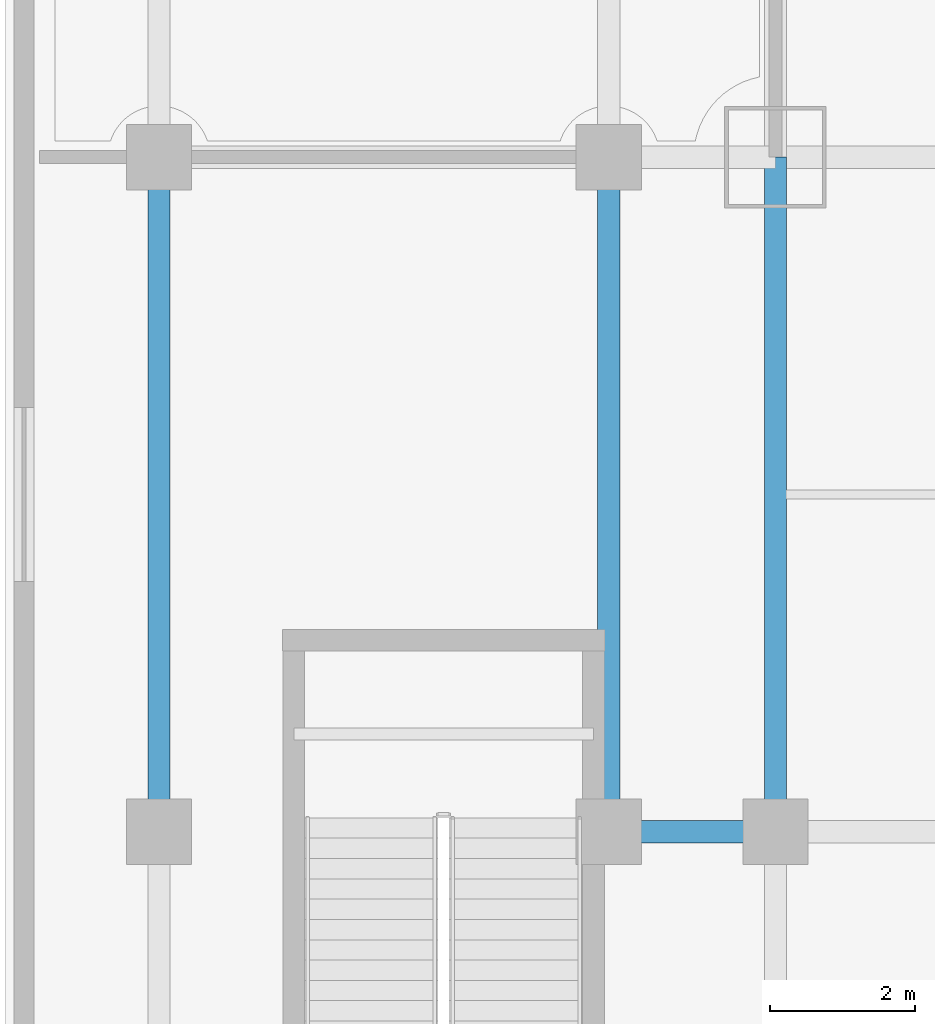
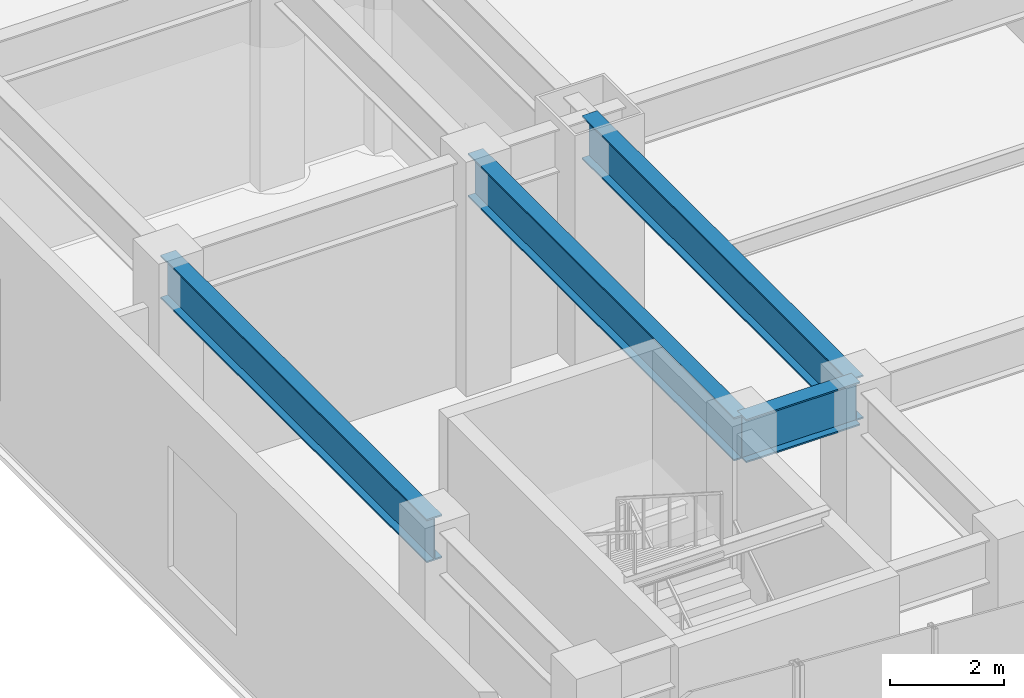
# One storey, part 3 of 24: 4 beams.
"""IFC4 building model written with IfcOpenShell, lengths in metres."""

from ifc_helpers import new_model, si_unit, direction, frame, origin, origin_2d, place, context, subcontext, project, spatial, i_section, extrude, material, material_profile, profile_set, type_object, element, save


model = new_model("IFC4")

# Units and contexts
model_context = context("Model", 3, precision=1e-05, world=origin(), true_north=direction((0.0, 1.0)))
body_context = subcontext(model_context, "Body", "Model", "MODEL_VIEW")
ifc_project = project(units=[si_unit("LENGTHUNIT", "METRE"), si_unit("AREAUNIT", "SQUARE_METRE"), si_unit("VOLUMEUNIT", "CUBIC_METRE"), si_unit("PLANEANGLEUNIT", "RADIAN"), si_unit("MASSUNIT", "GRAM", prefix="KILO")], contexts=[model_context])

# Site, building, storey
site_placement = place(None, origin())
site = spatial("IfcSite", under=ifc_project, at=site_placement, CompositionType="ELEMENT")
building_placement = place(site_placement, origin())
building = spatial("IfcBuilding", under=site, at=building_placement, Name="Vantalir Tower", CompositionType="ELEMENT")
storey_placement = place(building_placement, frame((0.0, 0.0, 6.0)))
storey = spatial("IfcBuildingStorey", under=building, at=storey_placement, Name="L01", CompositionType="ELEMENT", Elevation=6.0)

# Beams
ifc_material = material(Name="Steel S355", Category="steel")
ifc_material_profile = material_profile(ifc_material, i_section(OverallWidth=0.30810546875, OverallDepth=0.927001953125, WebThickness=0.01953125, FlangeThickness=0.031982421875, at=origin_2d()), Name="Steel S355")
ifc_profile_set = profile_set([ifc_material_profile], Name="Steel S355")
beam_type = type_object("IfcBeamType", Name="BM-PG-914x305", PredefinedType="USERDEFINED", material=ifc_profile_set)
beam_placement = place(storey_placement, frame((8.199951171875, 8.5, 4.35595703125), z_axis=(1.0, 0.0, 0.0), x_axis=(0.0, 1.0, 0.0)))
element("IfcBeam", 1, at=beam_placement, inside=storey, type_object=beam_type, Name="Level 01 Podium E-W Girder 07", ObjectType="GIRDER", PredefinedType="USERDEFINED", context=body_context, shape_type="SweptSolid", body=[
    extrude(i_section(OverallWidth=0.30810546875, OverallDepth=0.927001953125, WebThickness=0.01953125, FlangeThickness=0.031982421875, at=origin_2d()), origin(), (0.0, 0.0, 1.0), 2.300048828125),
])
for number, where, z_axis, x_axis, name in (
    (2, (2.0, 8.5, 4.35595703125), (0.0, 1.0, 0.0), (-1.0, 0.0, 0.0), "Level 01 Podium N-S Girder 42"),
    (3, (8.199951171875, 8.5, 4.35595703125), (0.0, 1.0, 0.0), (-1.0, 0.0, 0.0), "Level 01 Podium N-S Girder 47"),
    (4, (10.5, 8.5, 4.35595703125), (0.0, 1.0, 0.0), (-1.0, 0.0, 0.0), "Level 01 Podium N-S Girder 51"),
):
    element("IfcBeam", number, at=place(storey_placement, frame(where, z_axis=z_axis, x_axis=x_axis)), inside=storey, type_object=beam_type, Name=name, ObjectType="GIRDER", PredefinedType="USERDEFINED", context=body_context, shape_type="SweptSolid", body=[
        extrude(i_section(OverallWidth=0.30810546875, OverallDepth=0.927001953125, WebThickness=0.01953125, FlangeThickness=0.031982421875, at=origin_2d()), origin(), (0.0, 0.0, 1.0), 9.300048828125),
    ])

save(model, "model.ifc")
